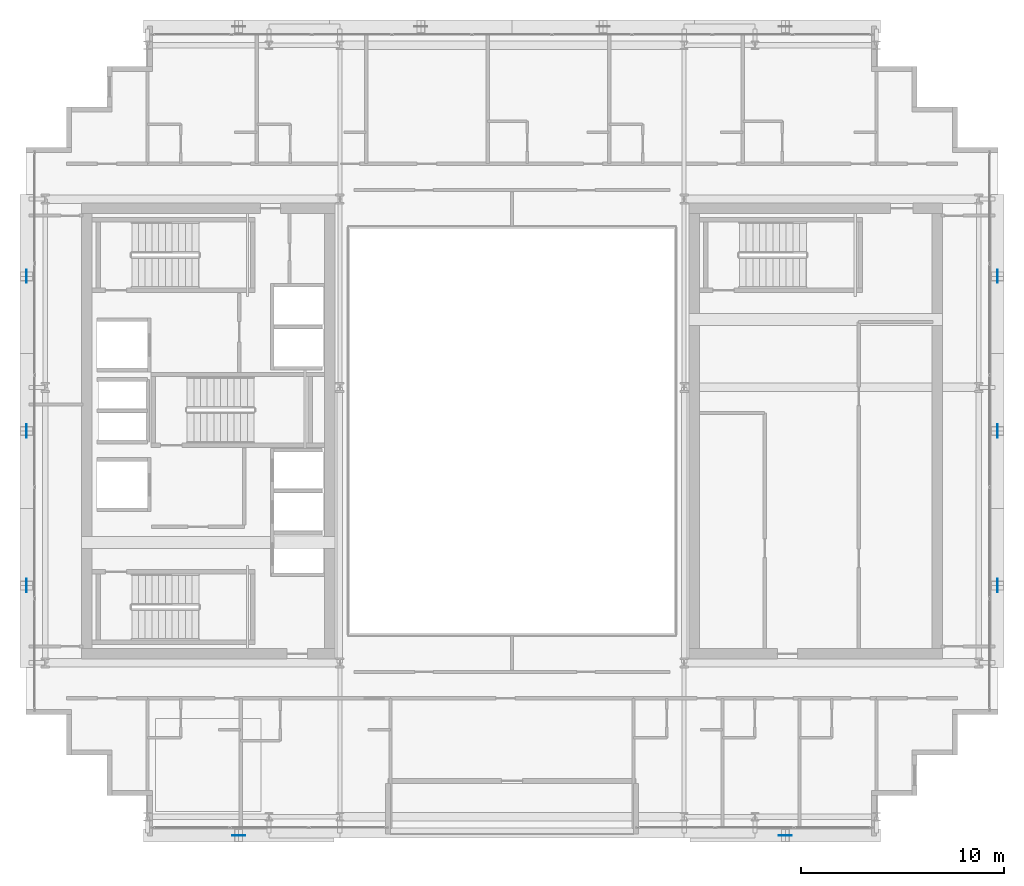
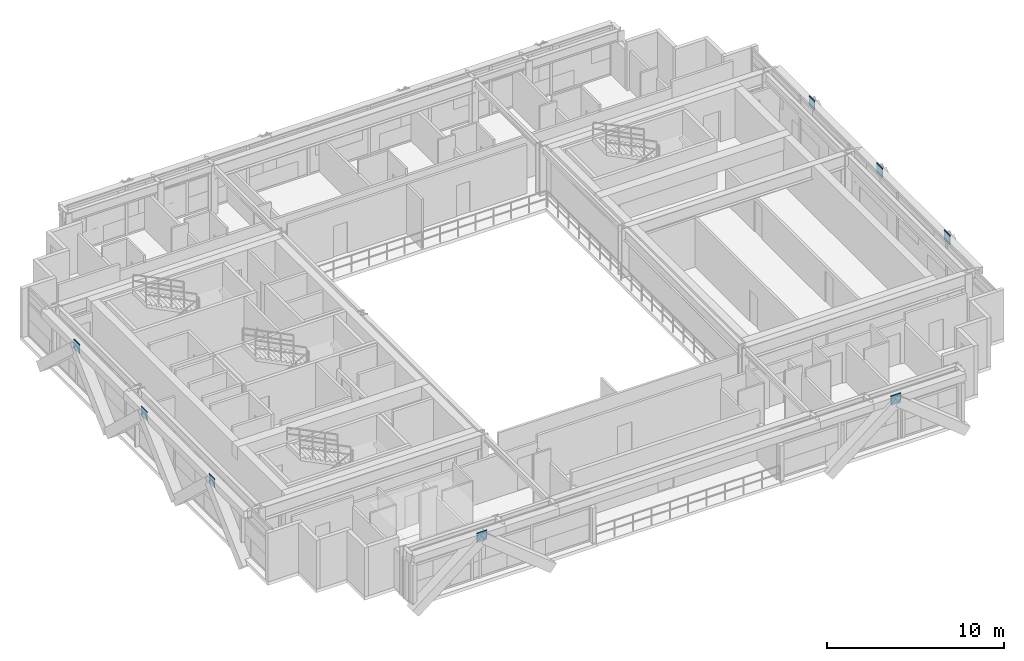
# One storey, part 22 of 31: 8 plates.
"""IFC4 building model written with IfcOpenShell, lengths in metres."""

from ifc_helpers import new_model, si_unit, direction, frame, origin, origin_2d, place, context, subcontext, project, spatial, rectangle, extrude, source, transform, mapped, material, layer, layer_set, type_object, element, save


model = new_model("IFC4")

# Units and contexts
model_context = context("Model", 3, precision=1e-05, world=origin(), true_north=direction((0.0, 1.0)))
body_context = subcontext(model_context, "Body", "Model", "MODEL_VIEW")
ifc_project = project(units=[si_unit("LENGTHUNIT", "METRE"), si_unit("AREAUNIT", "SQUARE_METRE"), si_unit("VOLUMEUNIT", "CUBIC_METRE"), si_unit("PLANEANGLEUNIT", "RADIAN"), si_unit("MASSUNIT", "GRAM", prefix="KILO")], contexts=[model_context])

# Site, building, storey
site_placement = place(None, origin())
site = spatial("IfcSite", under=ifc_project, at=site_placement, CompositionType="ELEMENT")
building_placement = place(site_placement, origin())
building = spatial("IfcBuilding", under=site, at=building_placement, Name="Ocotamira Hotel", CompositionType="ELEMENT")
storey_placement = place(building_placement, frame((0.0, 0.0, 202.800048828125)))
storey = spatial("IfcBuildingStorey", under=building, at=storey_placement, Name="L51", CompositionType="ELEMENT", Elevation=202.800048828125)

# Plates
ifc_material = material(Name="Pale-metal coated steel ASTM A572 Grade 50", Category="steel")
ifc_layer = layer(ifc_material, 0.0400390625)
ifc_layer_set = layer_set([ifc_layer], Name="Pale-metal coated steel ASTM A572 Grade 50")
plate_type = type_object("IfcPlateType", Name="PLT-GUSSET-40", PredefinedType="SHEET", material=ifc_layer_set)
shared_shape_1 = source(origin(), body_context, "Body", "SweptSolid", [
    extrude(rectangle(XDim=0.64990234375, YDim=0.0400390625, at=origin_2d()), origin(), (0.0, 0.0, 1.0), 0.64990234375),
])
for number, where, z_axis, x_axis, name in (
    (1, (18.5, 6.030029296875, 2.794921875), (0.0, 0.0, 1.0), (1.0, 0.0, 0.0), "L51 Exoskeleton Diagrid S0.1 End Gusset B"),
    (2, (45.5, 6.030029296875, 2.794921875), (0.0, 0.0, 1.0), (1.0, 0.0, 0.0), "L51 Exoskeleton Diagrid S3.1 End Gusset B"),
):
    element("IfcPlate", number, at=place(storey_placement, frame(where, z_axis=z_axis, x_axis=x_axis)), inside=storey, type_object=plate_type, Name=name, PredefinedType="SHEET", context=body_context, shape_type="MappedRepresentation", body=[
        mapped(shared_shape_1, transform((0.0, 0.0, 0.0), scale=1.0)),
    ])
shared_shape_2 = source(origin(), body_context, "Body", "SweptSolid", [
    extrude(rectangle(XDim=0.0400390625, YDim=0.64990234375, at=origin_2d()), origin(), (0.0, 0.0, 1.0), 0.64990234375),
])
for number, where, z_axis, x_axis, name in (
    (3, (8.030029296875, 18.36669921875, 2.794921875), (0.0, 0.0, 1.0), (1.0, 0.0, 0.0), "L51 Exoskeleton Diagrid W0.1 End Gusset B"),
    (4, (8.030029296875, 26.0, 2.794921875), (0.0, 0.0, 1.0), (1.0, 0.0, 0.0), "L51 Exoskeleton Diagrid W1.1 End Gusset B"),
    (5, (8.030029296875, 33.63330078125, 2.794921875), (0.0, 0.0, 1.0), (1.0, 0.0, 0.0), "L51 Exoskeleton Diagrid W2.1 End Gusset B"),
    (6, (55.969970703125, 18.36669921875, 2.794921875), (0.0, 0.0, 1.0), (1.0, 0.0, 0.0), "L51 Exoskeleton Diagrid E0.1 End Gusset B"),
    (7, (55.969970703125, 26.0, 2.794921875), (0.0, 0.0, 1.0), (1.0, 0.0, 0.0), "L51 Exoskeleton Diagrid E1.1 End Gusset B"),
    (8, (55.969970703125, 33.63330078125, 2.794921875), (0.0, 0.0, 1.0), (1.0, 0.0, 0.0), "L51 Exoskeleton Diagrid E2.1 End Gusset B"),
):
    element("IfcPlate", number, at=place(storey_placement, frame(where, z_axis=z_axis, x_axis=x_axis)), inside=storey, type_object=plate_type, Name=name, PredefinedType="SHEET", context=body_context, shape_type="MappedRepresentation", body=[
        mapped(shared_shape_2, transform((0.0, 0.0, 0.0), scale=1.0)),
    ])

save(model, "model.ifc")
